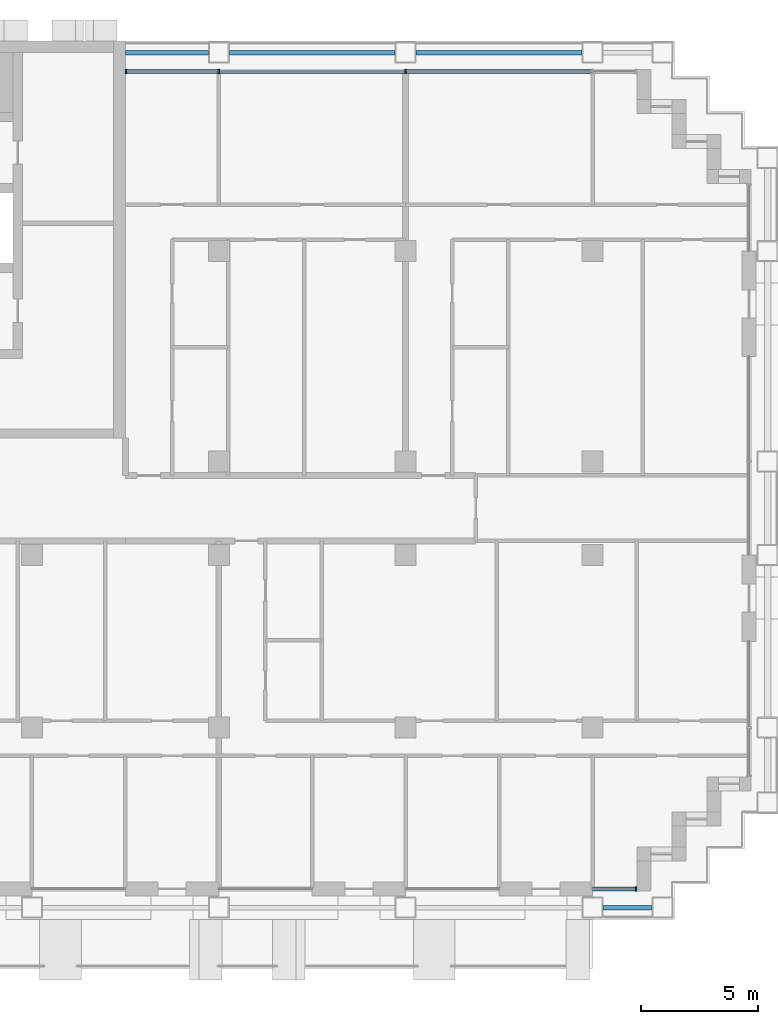
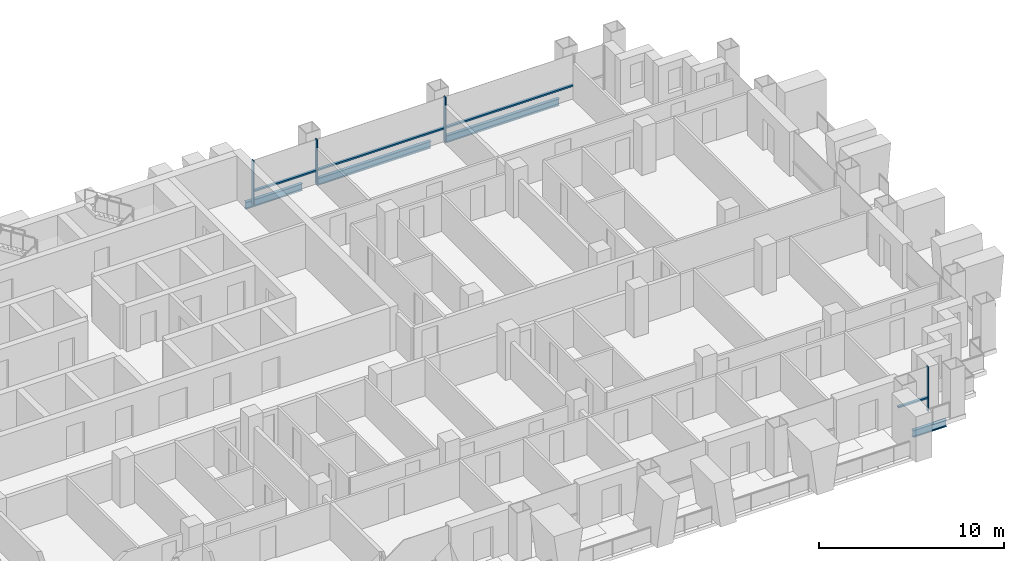
# One storey, part 5 of 18: 8 members, 4 beams, 2 elements without a shape of their own.
"""IFC4 building model written with IfcOpenShell, lengths in metres."""

from ifc_helpers import new_model, si_unit, direction, frame, origin, origin_2d, place, context, subcontext, project, spatial, rectangle, i_section, extrude, material, material_profile, profile_set, type_object, element, aggregate, save


model = new_model("IFC4")

# Units and contexts
model_context = context("Model", 3, precision=1e-05, world=origin(), true_north=direction((0.0, 1.0)))
body_context = subcontext(model_context, "Body", "Model", "MODEL_VIEW")
ifc_project = project(units=[si_unit("LENGTHUNIT", "METRE"), si_unit("AREAUNIT", "SQUARE_METRE"), si_unit("VOLUMEUNIT", "CUBIC_METRE"), si_unit("PLANEANGLEUNIT", "RADIAN"), si_unit("MASSUNIT", "GRAM", prefix="KILO")], contexts=[model_context])

# Site, building, storey
site_placement = place(None, origin())
site = spatial("IfcSite", under=ifc_project, at=site_placement, CompositionType="ELEMENT")
building_placement = place(site_placement, origin())
building = spatial("IfcBuilding", under=site, at=building_placement, Name="Vidyagriha Tower", CompositionType="ELEMENT")
storey_placement = place(building_placement, frame((0.0, 0.0, 93.5)))
storey = spatial("IfcBuildingStorey", under=building, at=storey_placement, Name="L24", CompositionType="ELEMENT", Elevation=93.5)

# Beams
ifc_material_1 = material(Name="Steel ASTM A992 Grade 50", Category="steel")
ifc_material_profile_1 = material_profile(ifc_material_1, i_section(OverallWidth=0.19189453125, OverallDepth=0.46240234375, WebThickness=0.010498046875, FlangeThickness=0.017578125, at=origin_2d()), Name="W18X60")
ifc_profile_set_1 = profile_set([ifc_material_profile_1], Name="Steel ASTM A992 Grade 50")
beam_type = type_object("IfcBeamType", Name="Edge beam W18X60", PredefinedType="SPANDREL", material=ifc_profile_set_1)
beam_1_placement = place(storey_placement, frame((34.449951171875, -17.10009765625, -0.51123046875), z_axis=(1.0, 0.0, 0.0), x_axis=(0.0, 1.0, 0.0)))
element("IfcBeam", 1, at=beam_1_placement, inside=storey, type_object=beam_type, Name="st-beam-L24-S09", PredefinedType="SPANDREL", context=body_context, shape_type="SweptSolid", body=[
    extrude(i_section(OverallWidth=0.19189453125, OverallDepth=0.46240234375, WebThickness=0.010498046875, FlangeThickness=0.017578125, at=origin_2d()), origin(), (0.0, 0.0, 1.0), 2.10009765625),
])
for number, where, z_axis, x_axis, name in (
    (2, (18.449951171875, 19.5, -0.51123046875), (1.0, 0.0, 0.0), (0.0, 1.0, 0.0), "st-beam-L24-NE21"),
    (3, (26.449951171875, 19.5, -0.51123046875), (1.0, 0.0, 0.0), (0.0, 1.0, 0.0), "st-beam-L24-NE22"),
):
    element("IfcBeam", number, at=place(storey_placement, frame(where, z_axis=z_axis, x_axis=x_axis)), inside=storey, type_object=beam_type, Name=name, PredefinedType="SPANDREL", context=body_context, shape_type="SweptSolid", body=[
        extrude(i_section(OverallWidth=0.19189453125, OverallDepth=0.46240234375, WebThickness=0.010498046875, FlangeThickness=0.017578125, at=origin_2d()), origin(), (0.0, 0.0, 1.0), 7.10009765625),
    ])
beam_2_placement = place(storey_placement, frame((14.0, 19.5, -0.51123046875), z_axis=(1.0, 0.0, 0.0), x_axis=(0.0, 1.0, 0.0)))
element("IfcBeam", 4, at=beam_2_placement, inside=storey, type_object=beam_type, Name="st-beam-L24-NC25", PredefinedType="SPANDREL", context=body_context, shape_type="SweptSolid", body=[
    extrude(i_section(OverallWidth=0.19189453125, OverallDepth=0.46240234375, WebThickness=0.010498046875, FlangeThickness=0.017578125, at=origin_2d()), origin(), (0.0, 0.0, 1.0), 3.550048828125),
])

# Curtain wall, members
ifc_material_2 = material(Name="Aluminium and glass curtain wall", Category="aluminium")
curtain_wall_type = type_object("IfcCurtainWallType", Name="Dwelling skin unitised curtain wall", PredefinedType="USERDEFINED", material=ifc_material_2)
curtain_wall_1_placement = place(storey_placement, origin())
curtain_wall_1 = element("IfcCurtainWall", 5, at=curtain_wall_1_placement, inside=storey, type_object=curtain_wall_type, Name="CW1 dwelling skin", ObjectType="UNITISED", PredefinedType="USERDEFINED")
ifc_material_3 = material(Name="Aluminium black anodised", Category="aluminium")
ifc_material_profile_2 = material_profile(ifc_material_3, rectangle(XDim=0.199951171875, YDim=0.070068359375, at=origin_2d()), Name="Mullion 70x200 black aluminium")
ifc_profile_set_2 = profile_set([ifc_material_profile_2], Name="Aluminium black anodised")
member_type_1 = type_object("IfcMemberType", Name="Mullion 70x200 black aluminium", PredefinedType="MULLION", material=ifc_profile_set_2)
member_1_placement = place(storey_placement, frame((26.0, 18.699951171875, 0.0), z_axis=(0.0, 0.0, 1.0), x_axis=(0.0, -1.0, 0.0)))
member_1 = element("IfcMember", 6, at=member_1_placement, type_object=member_type_1, Name="CW1 mullion 3", PredefinedType="MULLION", context=body_context, shape_type="SweptSolid", body=[
    extrude(rectangle(XDim=0.199951171875, YDim=0.070068359375, at=origin_2d()), origin(), (0.0, 0.0, 1.0), 2.919921875),
])
member_2_placement = place(storey_placement, frame((18.0, 18.699951171875, 0.0), z_axis=(0.0, 0.0, 1.0), x_axis=(0.0, -1.0, 0.0)))
member_2 = element("IfcMember", 7, at=member_2_placement, type_object=member_type_1, Name="CW1 mullion 4", PredefinedType="MULLION", context=body_context, shape_type="SweptSolid", body=[
    extrude(rectangle(XDim=0.199951171875, YDim=0.070068359375, at=origin_2d()), origin(), (0.0, 0.0, 1.0), 2.919921875),
])
member_3_placement = place(storey_placement, frame((14.034912109375, 18.699951171875, 0.0), z_axis=(0.0, 0.0, 1.0), x_axis=(0.0, -1.0, 0.0)))
member_3 = element("IfcMember", 8, at=member_3_placement, type_object=member_type_1, Name="CW1 mullion 5", PredefinedType="MULLION", context=body_context, shape_type="SweptSolid", body=[
    extrude(rectangle(XDim=0.199951171875, YDim=0.070068359375, at=origin_2d()), origin(), (0.0, 0.0, 1.0), 2.919921875),
])

# Curtain wall, member
curtain_wall_2_placement = place(storey_placement, origin())
curtain_wall_2 = element("IfcCurtainWall", 9, at=curtain_wall_2_placement, inside=storey, type_object=curtain_wall_type, Name="CW1 dwelling skin", ObjectType="UNITISED", PredefinedType="USERDEFINED")
member_4_placement = place(storey_placement, frame((35.864990234375, -16.300048828125, 0.0), z_axis=(0.0, 0.0, 1.0), x_axis=(0.0, 1.0, 0.0)))
member_4 = element("IfcMember", 10, at=member_4_placement, type_object=member_type_1, Name="CW1 mullion 2", PredefinedType="MULLION", context=body_context, shape_type="SweptSolid", body=[
    extrude(rectangle(XDim=0.199951171875, YDim=0.070068359375, at=origin_2d()), origin(), (0.0, 0.0, 1.0), 2.919921875),
])

# Member
ifc_material_4 = material(Name="Aluminium black anodised", Category="aluminium")
ifc_material_profile_3 = material_profile(ifc_material_4, rectangle(XDim=0.159912109375, YDim=0.10009765625, at=origin_2d()), Name="Transom 100x160 black aluminium")
ifc_profile_set_3 = profile_set([ifc_material_profile_3], Name="Aluminium black anodised")
member_type_2 = type_object("IfcMemberType", Name="Transom 100x160 black aluminium", PredefinedType="USERDEFINED", material=ifc_profile_set_3)
member_5_placement = place(storey_placement, frame((33.965087890625, 18.699951171875, 0.89990234375), z_axis=(-1.0, 0.0, 0.0), x_axis=(0.0, -1.0, 0.0)))
member_5 = element("IfcMember", 11, at=member_5_placement, type_object=member_type_2, Name="CW1 transom 2.1", ObjectType="TRANSOM", PredefinedType="USERDEFINED", context=body_context, shape_type="SweptSolid", body=[
    extrude(rectangle(XDim=0.159912109375, YDim=0.10009765625, at=origin_2d()), origin(), (0.0, 0.0, 1.0), 7.93017578125),
])

member_6_placement = place(storey_placement, frame((25.965087890625, 18.699951171875, 0.89990234375), z_axis=(-1.0, 0.0, 0.0), x_axis=(0.0, -1.0, 0.0)))
member_6 = element("IfcMember", 12, at=member_6_placement, type_object=member_type_2, Name="CW1 transom 3.1", ObjectType="TRANSOM", PredefinedType="USERDEFINED", context=body_context, shape_type="SweptSolid", body=[
    extrude(rectangle(XDim=0.159912109375, YDim=0.10009765625, at=origin_2d()), origin(), (0.0, 0.0, 1.0), 7.93017578125),
])

member_7_placement = place(storey_placement, frame((17.965087890625, 18.699951171875, 0.89990234375), z_axis=(-1.0, 0.0, 0.0), x_axis=(0.0, -1.0, 0.0)))
member_7 = element("IfcMember", 13, at=member_7_placement, type_object=member_type_2, Name="CW1 transom 4.1", ObjectType="TRANSOM", PredefinedType="USERDEFINED", context=body_context, shape_type="SweptSolid", body=[
    extrude(rectangle(XDim=0.159912109375, YDim=0.10009765625, at=origin_2d()), origin(), (0.0, 0.0, 1.0), 3.89501953125),
])

aggregate(curtain_wall_1, [member_1, member_2, member_3, member_5, member_6, member_7])

member_8_placement = place(storey_placement, frame((34.0, -16.300048828125, 0.89990234375), z_axis=(1.0, 0.0, 0.0), x_axis=(0.0, 1.0, 0.0)))
member_8 = element("IfcMember", 14, at=member_8_placement, type_object=member_type_2, Name="CW1 transom 1.1", ObjectType="TRANSOM", PredefinedType="USERDEFINED", context=body_context, shape_type="SweptSolid", body=[
    extrude(rectangle(XDim=0.159912109375, YDim=0.10009765625, at=origin_2d()), origin(), (0.0, 0.0, 1.0), 1.830078125),
])

aggregate(curtain_wall_2, [member_4, member_8])

save(model, "model.ifc")
